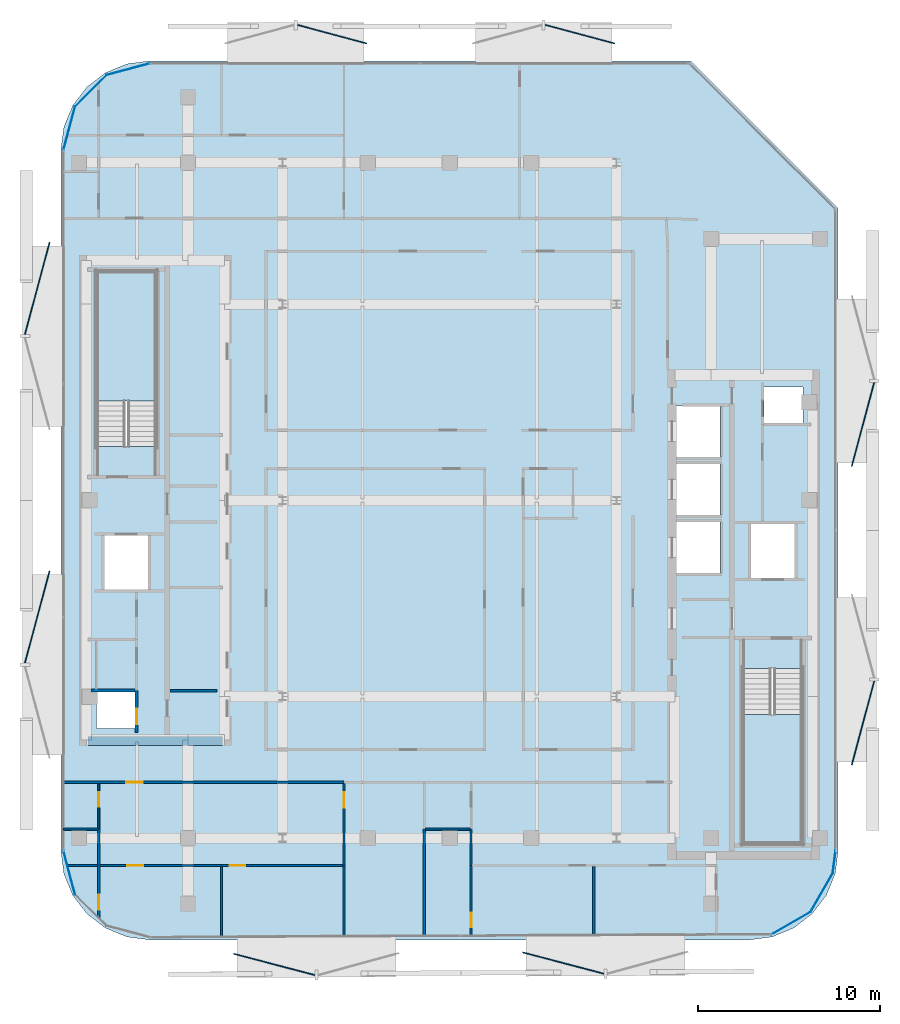
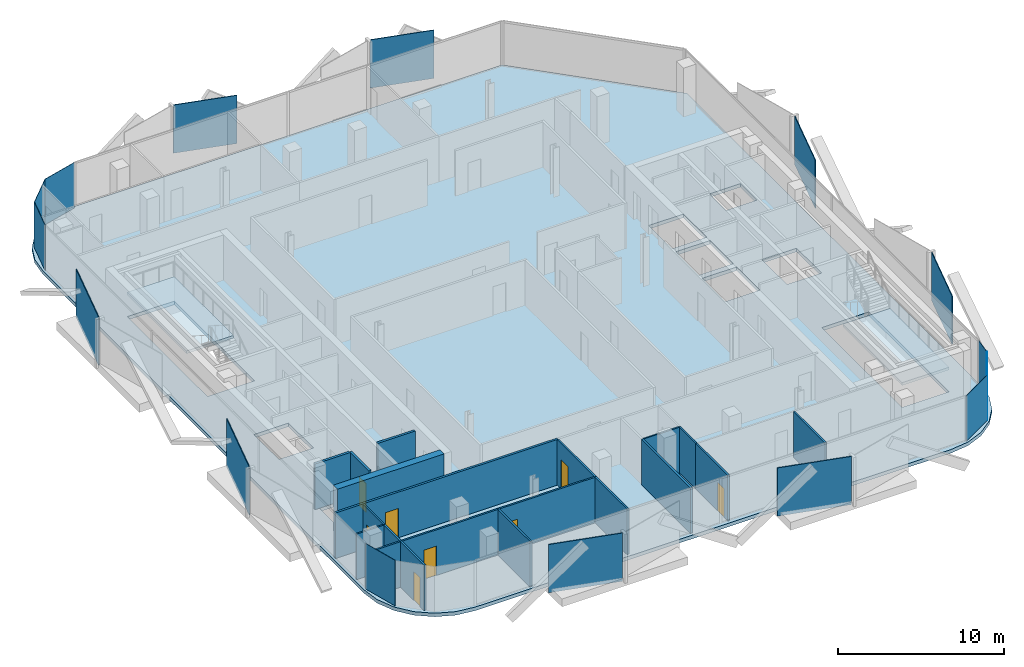
# One storey, part 2 of 15: 19 walls, 15 plates, 8 doors, 3 slabs, 8 openings, 2 elements without a shape of their own.
"""IFC4 building model written with IfcOpenShell, lengths in metres."""

from ifc_helpers import new_model, si_unit, direction, frame, frame_2d, origin, origin_2d, place, context, subcontext, project, spatial, polyline, rectangle, outline, extrude, material, layer, layer_set, type_object, element, fill, aggregate, save


model = new_model("IFC4")

# Units and contexts
model_context = context("Model", 3, precision=1e-05, world=origin(), true_north=direction((0.0, 1.0)))
body_context = subcontext(model_context, "Body", "Model", "MODEL_VIEW")
ifc_project = project(units=[si_unit("LENGTHUNIT", "METRE"), si_unit("AREAUNIT", "SQUARE_METRE"), si_unit("VOLUMEUNIT", "CUBIC_METRE"), si_unit("PLANEANGLEUNIT", "RADIAN"), si_unit("MASSUNIT", "GRAM", prefix="KILO")], contexts=[model_context])

# Site, building, storey
site_placement = place(None, origin())
site = spatial("IfcSite", under=ifc_project, at=site_placement, CompositionType="ELEMENT")
building_placement = place(site_placement, origin())
building = spatial("IfcBuilding", under=site, at=building_placement, Name="Khairoan Windgate Tower", CompositionType="ELEMENT")
storey_placement = place(building_placement, frame((0.0, 0.0, 265.60009765625)))
storey = spatial("IfcBuildingStorey", under=building, at=storey_placement, Name="L63", CompositionType="ELEMENT", Elevation=265.60009765625)

# Plates
ifc_material_1 = material(Name="Low-E Solar Control Laminated Glass", Category="glass")
ifc_layer_1 = layer(ifc_material_1, 0.030029296875, Name="Low-E Solar Control Laminated Glass")
ifc_layer_set_1 = layer_set([ifc_layer_1], Name="Low-E Solar Control Laminated Glass")
plate_type_1 = type_object("IfcPlateType", Name="Aerodynamic Wind-Corner Curved Glazing Plate", PredefinedType="USERDEFINED", material=ifc_layer_set_1)
for number, where, z_axis, x_axis, name in (
    (1, (-20.940673828125, -20.485107421875, 0.0), (0.0, 0.0, 1.0), (-0.258313252067, 0.966061211211, 0.0), "L63 Aerodynamic Wind-Corner Curved Glazing Panel 4"),
    (2, (-20.940673828125, 20.485107421875, 0.0), (0.0, 0.0, 1.0), (0.258313252067, 0.966061211211, 0.0), "L63 Aerodynamic Wind-Corner Curved Glazing Panel 6"),
):
    element("IfcPlate", number, at=place(storey_placement, frame(where, z_axis=z_axis, x_axis=x_axis)), inside=storey, type_object=plate_type_1, Name=name, ObjectType="GLAZING PANEL", PredefinedType="USERDEFINED", context=body_context, shape_type="SweptSolid", body=[
        extrude(rectangle(XDim=2.512451171875, YDim=0.030029296875, at=origin_2d()), origin(), (0.0, 0.0, 1.0), 3.340087890625),
    ])
plate_1_placement = place(storey_placement, frame((-19.750244140625, 22.55029296875, 0.0), z_axis=(0.0, 0.0, 1.0), x_axis=(0.707106781187, 0.707106781187, 0.0)))
element("IfcPlate", 3, at=plate_1_placement, inside=storey, type_object=plate_type_1, Name="L63 Aerodynamic Wind-Corner Curved Glazing Panel 7", ObjectType="GLAZING PANEL", PredefinedType="USERDEFINED", context=body_context, shape_type="SweptSolid", body=[
    extrude(rectangle(XDim=2.50341796875, YDim=0.030029296875, at=origin_2d()), origin(), (0.0, 0.0, 1.0), 3.340087890625),
])
plate_2_placement = place(storey_placement, frame((-17.68505859375, 23.740478515625, 0.0), z_axis=(0.0, 0.0, 1.0), x_axis=(0.966061211211, 0.258313252067, 0.0)))
element("IfcPlate", 4, at=plate_2_placement, inside=storey, type_object=plate_type_1, Name="L63 Aerodynamic Wind-Corner Curved Glazing Panel 8", ObjectType="GLAZING PANEL", PredefinedType="USERDEFINED", context=body_context, shape_type="SweptSolid", body=[
    extrude(rectangle(XDim=2.512451171875, YDim=0.030029296875, at=origin_2d()), origin(), (0.0, 0.0, 1.0), 3.340087890625),
])
plate_3_placement = place(storey_placement, frame((21.17822265625, -19.911376953125, 0.0), z_axis=(0.0, 0.0, 1.0), x_axis=(-0.13052619222, -0.991444861374, 0.0)))
element("IfcPlate", 5, at=plate_3_placement, inside=storey, type_object=plate_type_1, Name="L63 Aerodynamic Wind-Corner Curved Glazing Panel 12", ObjectType="GLAZING PANEL", PredefinedType="USERDEFINED", context=body_context, shape_type="SweptSolid", body=[
    extrude(rectangle(XDim=1.29150390625, YDim=0.030029296875, at=origin_2d()), origin(), (0.0, 0.0, 1.0), 3.340087890625),
])
for number, where, z_axis, x_axis, name in (
    (6, (20.480712890625, -21.598388671875, 0.0), (0.0, 0.0, 1.0), (-0.5, -0.866025403784, 0.0), "L63 Aerodynamic Wind-Corner Curved Glazing Panel 13"),
    (7, (18.79833984375, -23.28076171875, 0.0), (0.0, 0.0, 1.0), (-0.866025403784, -0.5, 0.0), "L63 Aerodynamic Wind-Corner Curved Glazing Panel 14"),
):
    element("IfcPlate", number, at=place(storey_placement, frame(where, z_axis=z_axis, x_axis=x_axis)), inside=storey, type_object=plate_type_1, Name=name, ObjectType="GLAZING PANEL", PredefinedType="USERDEFINED", context=body_context, shape_type="SweptSolid", body=[
        extrude(rectangle(XDim=2.50341796875, YDim=0.030029296875, at=origin_2d()), origin(), (0.0, 0.0, 1.0), 3.340087890625),
    ])
ifc_material_2 = material(Name="Anodised Bronze Aluminium 6063-T6", Category="aluminium")
ifc_layer_2 = layer(ifc_material_2, 0.054931640625, Name="Anodised Bronze Aluminium 6063-T6")
ifc_layer_set_2 = layer_set([ifc_layer_2], Name="Anodised Bronze Aluminium 6063-T6")
plate_type_2 = type_object("IfcPlateType", Name="Perforated Bronze Solar Screen Upper Panel BSP-2", PredefinedType="USERDEFINED", material=ifc_layer_set_2)
for number, where, z_axis, x_axis, name in (
    (8, (6.264892578125, -25.474365234375, -0.10009765625), (0.0, 0.0, 1.0), (-0.967134752842, 0.254264369988, 0.0), "L63 Perforated Bronze Solar Screen Panel 433R"),
    (9, (-9.646240234375, -25.55029296875, -0.10009765625), (0.0, 0.0, 1.0), (-0.967134752842, 0.254264369988, 0.0), "L63 Perforated Bronze Solar Screen Panel 434R"),
):
    element("IfcPlate", number, at=place(storey_placement, frame(where, z_axis=z_axis, x_axis=x_axis)), inside=storey, type_object=plate_type_2, Name=name, ObjectType="SCREEN", PredefinedType="USERDEFINED", context=body_context, shape_type="SweptSolid", body=[
        extrude(rectangle(XDim=4.614013671875, YDim=0.054931640625, at=origin_2d()), origin(), (0.0, 0.0, 1.0), 3.5400390625),
    ])
for number, where, z_axis, x_axis, name in (
    (10, (-22.701171875, -6.421875, -0.10009765625), (0.0, 0.0, 1.0), (0.258819045103, 0.965925826289, 0.0), "L63 Perforated Bronze Solar Screen Panel 435R"),
    (11, (-22.701171875, 11.6689453125, -0.10009765625), (0.0, 0.0, 1.0), (0.258819045103, 0.965925826289, 0.0), "L63 Perforated Bronze Solar Screen Panel 436R"),
):
    element("IfcPlate", number, at=place(storey_placement, frame(where, z_axis=z_axis, x_axis=x_axis)), inside=storey, type_object=plate_type_2, Name=name, ObjectType="SCREEN", PredefinedType="USERDEFINED", context=body_context, shape_type="SweptSolid", body=[
        extrude(rectangle(XDim=5.24609375, YDim=0.054931640625, at=origin_2d()), origin(), (0.0, 0.0, 1.0), 3.5400390625),
    ])
for number, where, z_axis, x_axis, name in (
    (12, (-6.466552734375, 25.66796875, -0.10009765625), (0.0, 0.0, 1.0), (0.965925826289, -0.258819045103, 0.0), "L63 Perforated Bronze Solar Screen Panel 437R"),
    (13, (7.179931640625, 25.66796875, -0.10009765625), (0.0, 0.0, 1.0), (0.965925826289, -0.258819045103, 0.0), "L63 Perforated Bronze Solar Screen Panel 438R"),
):
    element("IfcPlate", number, at=place(storey_placement, frame(where, z_axis=z_axis, x_axis=x_axis)), inside=storey, type_object=plate_type_2, Name=name, ObjectType="SCREEN", PredefinedType="USERDEFINED", context=body_context, shape_type="SweptSolid", body=[
        extrude(rectangle(XDim=3.95703125, YDim=0.054931640625, at=origin_2d()), origin(), (0.0, 0.0, 1.0), 3.5400390625),
    ])
for number, where, z_axis, x_axis, name in (
    (14, (22.7626953125, 4.185546875, -0.10009765625), (0.0, 0.0, 1.0), (-0.258819045103, -0.965925826289, 0.0), "L63 Perforated Bronze Solar Screen Panel 439R"),
    (15, (22.7626953125, -12.260986328125, -0.10009765625), (0.0, 0.0, 1.0), (-0.258819045103, -0.965925826289, 0.0), "L63 Perforated Bronze Solar Screen Panel 440R"),
):
    element("IfcPlate", number, at=place(storey_placement, frame(where, z_axis=z_axis, x_axis=x_axis)), inside=storey, type_object=plate_type_2, Name=name, ObjectType="SCREEN", PredefinedType="USERDEFINED", context=body_context, shape_type="SweptSolid", body=[
        extrude(rectangle(XDim=4.76904296875, YDim=0.054931640625, at=origin_2d()), origin(), (0.0, 0.0, 1.0), 3.5400390625),
    ])

# Stair, slab
ifc_material_3 = material(Name="Concrete C40/50", Category="concrete")
stair_type = type_object("IfcStairType", Name="Tower Core Dog-Leg Stair ST-T1 1560mm", PredefinedType="HALF_TURN_STAIR", material=ifc_material_3)
stair_1_placement = place(storey_placement, origin())
stair_1 = element("IfcStair", 16, at=stair_1_placement, inside=storey, type_object=stair_type, Name="L63 Stair ST1", PredefinedType="HALF_TURN_STAIR")
ifc_material_4 = material(Name="Concrete C40/50", Category="concrete")
ifc_layer_3 = layer(ifc_material_4, 0.199951171875, Name="Concrete C40/50")
ifc_layer_set_3 = layer_set([ifc_layer_3], Name="Concrete C40/50")
slab_type_1 = type_object("IfcSlabType", Name="Reinforced Concrete Stair Landing Slab STL-200", PredefinedType="LANDING", material=ifc_layer_set_3)
slab_1_placement = place(storey_placement, frame((0.0, 0.0, 1.599853515625)))
slab_1 = element("IfcSlab", 17, at=slab_1_placement, type_object=slab_type_1, Name="ST1 landing 1", PredefinedType="LANDING", context=body_context, shape_type="SweptSolid", body=[
    extrude(outline(polyline([(16.14990234375, -11.780029296875), (16.14990234375, -18.89990234375), (19.419921875, -18.89990234375), (19.419921875, -11.780029296875), (16.14990234375, -11.780029296875)])), origin(), (0.0, 0.0, 1.0), 0.199951171875),
])
aggregate(stair_1, [slab_1])

stair_2_placement = place(storey_placement, origin())
stair_2 = element("IfcStair", 18, at=stair_2_placement, inside=storey, type_object=stair_type, Name="L63 Stair ST2", PredefinedType="HALF_TURN_STAIR")
slab_2_placement = place(storey_placement, frame((0.0, 0.0, 1.599853515625)))
slab_2 = element("IfcSlab", 19, at=slab_2_placement, type_object=slab_type_1, Name="ST2 landing 1", PredefinedType="LANDING", context=body_context, shape_type="SweptSolid", body=[
    extrude(outline(polyline([(-16.14990234375, 5.47998046875), (-16.14990234375, 12.60009765625), (-19.419921875, 12.60009765625), (-19.419921875, 5.47998046875), (-16.14990234375, 5.47998046875)])), origin(), (0.0, 0.0, 1.0), 0.199951171875),
])
aggregate(stair_2, [slab_2])

# Slab
ifc_material_5 = material(Name="Concrete C40/50", Category="concrete")
ifc_layer_4 = layer(ifc_material_5, 0.260009765625, Name="Concrete C40/50")
ifc_layer_set_4 = layer_set([ifc_layer_4], Name="Concrete C40/50")
slab_type_2 = type_object("IfcSlabType", Name="Tower Composite Floor Slab FS2 260mm", PredefinedType="FLOOR", material=ifc_layer_set_4)
slab_3_placement = place(storey_placement, frame((0.0, 0.0, -0.260009765625)))
element("IfcSlab", 20, at=slab_3_placement, inside=storey, type_object=slab_type_2, Name="L63 Structural Floor Slab", PredefinedType="FLOOR", context=body_context, shape_type="SweptSolid", body=[
    extrude(outline(polyline([(16.5, -24.199951171875), (17.768310546875, -24.032958984375), (18.949951171875, -23.54345703125), (19.96484375, -22.764892578125), (20.743408203125, -21.75), (21.23291015625, -20.568115234375), (21.39990234375, -19.300048828125), (21.39990234375, 16.06005859375), (13.260009765625, 24.199951171875), (-16.5, 24.199951171875), (-17.768310546875, 24.032958984375), (-18.949951171875, 23.54345703125), (-19.96484375, 22.764892578125), (-20.743408203125, 21.75), (-21.23291015625, 20.568115234375), (-21.39990234375, 19.300048828125), (-21.39990234375, -19.300048828125), (-21.23291015625, -20.568115234375), (-20.743408203125, -21.75), (-19.96484375, -22.764892578125), (-18.949951171875, -23.54345703125), (-17.768310546875, -24.032958984375), (-16.5, -24.199951171875), (16.5, -24.199951171875)]), holes=[polyline([(16.14990234375, -9.260009765625), (16.14990234375, -18.89990234375), (19.419921875, -18.89990234375), (19.419921875, -9.260009765625), (16.14990234375, -9.260009765625)]), polyline([(-16.14990234375, 2.9599609375), (-16.14990234375, 12.60009765625), (-19.419921875, 12.60009765625), (-19.419921875, 2.9599609375), (-16.14990234375, 2.9599609375)]), polyline([(12.5, 2.39990234375), (14.89990234375, 2.39990234375), (14.89990234375, 5.199951171875), (12.5, 5.199951171875), (12.5, 2.39990234375)]), polyline([(12.5, -0.800048828125), (14.89990234375, -0.800048828125), (14.89990234375, 2.0), (12.5, 2.0), (12.5, -0.800048828125)]), polyline([(12.5, -4.0), (14.89990234375, -4.0), (14.89990234375, -1.199951171875), (12.5, -1.199951171875), (12.5, -4.0)]), polyline([(16.60009765625, -4.300048828125), (19.0, -4.300048828125), (19.0, -1.300048828125), (16.60009765625, -1.300048828125), (16.60009765625, -4.300048828125)]), polyline([(-19.0, -4.89990234375), (-16.60009765625, -4.89990234375), (-16.60009765625, -1.89990234375), (-19.0, -1.89990234375), (-19.0, -4.89990234375)]), polyline([(-19.449951171875, -12.550048828125), (-17.31005859375, -12.550048828125), (-17.31005859375, -10.550048828125), (-19.449951171875, -10.550048828125), (-19.449951171875, -12.550048828125)]), polyline([(17.31005859375, 4.25), (19.449951171875, 4.25), (19.449951171875, 6.25), (17.31005859375, 6.25), (17.31005859375, 4.25)])]), origin(), (0.0, 0.0, 1.0), 0.260009765625),
])

# Wall
ifc_material_6 = material(Name="Moisture-Resistant Gypsum Partition", Category="gypsum")
ifc_layer_5 = layer(ifc_material_6, 0.10009765625, Name="Moisture-Resistant Gypsum Partition")
ifc_layer_set_5 = layer_set([ifc_layer_5], Name="Moisture-Resistant Gypsum Partition")
wall_type_1 = type_object("IfcWallType", Name="Bathroom Wet-Area Partition Wall", PredefinedType="PARTITIONING", material=ifc_layer_set_5)
wall_1_placement = place(storey_placement, frame((-21.2548828125, -18.10009765625, 0.0), z_axis=(0.0, 0.0, 1.0), x_axis=(1.0, 0.0, 0.0)))
element("IfcWall", 21, at=wall_1_placement, inside=storey, type_object=wall_type_1, Name="L63 Interior Partition 046", PredefinedType="PARTITIONING", context=body_context, shape_type="SweptSolid", body=[
    extrude(rectangle(XDim=1.894775390625, YDim=0.10009765625, at=frame_2d((0.947265625, 0.0))), origin(), (0.0, 0.0, 1.0), 3.33984375),
])

# Wall, opening, door
wall_2_placement = place(storey_placement, frame((-19.31005859375, -18.10009765625, 0.0), z_axis=(0.0, 0.0, 1.0), x_axis=(0.0, 1.0, 0.0)))
wall_2 = element("IfcWall", 22, at=wall_2_placement, inside=storey, type_object=wall_type_1, Name="L63 Interior Partition 047", PredefinedType="PARTITIONING", context=body_context, shape_type="SweptSolid", body=[
    extrude(rectangle(XDim=2.5, YDim=0.10009765625, at=frame_2d((1.25, 0.0))), origin(), (0.0, 0.0, 1.0), 3.33984375),
])
opening_1_placement = place(wall_2_placement, frame((1.239990234375, 0.0, 0.0)))
opening_1 = element("IfcOpeningElement", 23, at=opening_1_placement, cuts=wall_2, Name="Opening ID-BTH", PredefinedType="OPENING", context=body_context, shape_type="SweptSolid", body=[
    extrude(rectangle(XDim=0.800048828125, YDim=2.10009765625, at=frame_2d((0.39990234375, 1.050048828125))), frame((0.0, 0.06005859375, 0.0), z_axis=(0.0, -1.0, 0.0), x_axis=(1.0, 0.0, 0.0)), (0.0, 0.0, 1.0), 0.1201171875),
])
ifc_material_7 = material(Name="Teak Veneer Timber Leaf", Category="wood")
door_type_1 = type_object("IfcDoorType", Name="Internal Bathroom Door ID-BTH 800x2100", OperationType="NOTDEFINED", PredefinedType="DOOR", material=ifc_material_7)
door_1_placement = place(opening_1_placement, origin())
door_1 = element("IfcDoor", 24, at=door_1_placement, inside=storey, type_object=door_type_1, Name="L63 L63-39-L63-41 Door", OperationType="SINGLE_SWING_RIGHT", OverallHeight=2.10009765625, OverallWidth=0.800048828125, PredefinedType="DOOR", context=body_context, shape_type="SweptSolid", body=[
    extrude(rectangle(XDim=0.800048828125, YDim=2.10009765625, at=frame_2d((0.39990234375, 1.050048828125))), frame((0.0, 0.02490234375, 0.0), z_axis=(0.0, -1.0, 0.0), x_axis=(1.0, 0.0, 0.0)), (0.0, 0.0, 1.0), 0.050048828125),
])
fill(opening_1, door_1)

# Walls
wall_3_placement = place(storey_placement, frame((-1.330078125, -18.10009765625, 0.0), z_axis=(0.0, 0.0, 1.0), x_axis=(1.0, 0.0, 0.0)))
element("IfcWall", 25, at=wall_3_placement, inside=storey, type_object=wall_type_1, Name="L63 Interior Partition 057", PredefinedType="PARTITIONING", context=body_context, shape_type="SweptSolid", body=[
    extrude(rectangle(XDim=2.469970703125, YDim=0.10009765625, at=frame_2d((1.23486328125, 0.0))), origin(), (0.0, 0.0, 1.0), 3.33984375),
])
ifc_material_8 = material(Name="Concrete C40/50", Category="concrete")
ifc_layer_6 = layer(ifc_material_8, 0.159912109375, Name="Concrete C40/50")
ifc_layer_set_6 = layer_set([ifc_layer_6], Name="Concrete C40/50")
wall_type_2 = type_object("IfcWallType", Name="Core and Hoistway Enclosure Wall", PredefinedType="STANDARD", material=ifc_layer_set_6)
wall_4_placement = place(storey_placement, frame((-15.39990234375, -10.47998046875, 0.0), z_axis=(0.0, 0.0, 1.0), x_axis=(1.0, 0.0, 0.0)))
element("IfcWall", 26, at=wall_4_placement, inside=storey, type_object=wall_type_2, Name="L63 Core Shaft Wall SW-WSV-L63", PredefinedType="STANDARD", context=body_context, shape_type="SweptSolid", body=[
    extrude(rectangle(XDim=2.599853515625, YDim=0.159912109375, at=frame_2d((1.2998046875, 0.0))), origin(), (0.0, 0.0, 1.0), 3.33984375),
])
ifc_material_9 = material(Name="Acoustic Fire-Rated Gypsum Partition", Category="gypsum")
ifc_layer_7 = layer(ifc_material_9, 0.139892578125, Name="Acoustic Fire-Rated Gypsum Partition")
ifc_layer_set_7 = layer_set([ifc_layer_7], Name="Acoustic Fire-Rated Gypsum Partition")
wall_type_3 = type_object("IfcWallType", Name="Inter-Tenancy Compartment Wall", PredefinedType="PARTITIONING", material=ifc_layer_set_7)
wall_5_placement = place(storey_placement, frame((-1.39990234375, -23.98291015625, 0.0), z_axis=(0.0, 0.0, 1.0), x_axis=(0.0, 1.0, 0.0)))
element("IfcWall", 27, at=wall_5_placement, inside=storey, type_object=wall_type_3, Name="L63 Interior Partition 055", PredefinedType="PARTITIONING", context=body_context, shape_type="SweptSolid", body=[
    extrude(rectangle(XDim=5.8828125, YDim=0.139892578125, at=frame_2d((2.94140625, 0.0))), origin(), (0.0, 0.0, 1.0), 3.33984375),
])
ifc_material_10 = material(Name="Gypsum Stud Partition", Category="gypsum")
ifc_layer_8 = layer(ifc_material_10, 0.1201171875, Name="Gypsum Stud Partition")
ifc_layer_set_8 = layer_set([ifc_layer_8], Name="Gypsum Stud Partition")
wall_type_4 = type_object("IfcWallType", Name="Internal Room Partition Wall", PredefinedType="PARTITIONING", material=ifc_layer_set_8)
wall_6_placement = place(storey_placement, frame((-19.31005859375, -20.10009765625, 0.0), z_axis=(0.0, 0.0, 1.0), x_axis=(0.0, 1.0, 0.0)))
element("IfcWall", 28, at=wall_6_placement, inside=storey, type_object=wall_type_4, Name="L63 Interior Partition 048", PredefinedType="PARTITIONING", context=body_context, shape_type="SweptSolid", body=[
    extrude(rectangle(XDim=2.0, YDim=0.1201171875, at=frame_2d((1.0, 0.0))), origin(), (0.0, 0.0, 1.0), 3.33984375),
])

# Wall, opening, door
wall_7_placement = place(storey_placement, frame((-19.31005859375, -22.985595703125, 0.0), z_axis=(0.0, 0.0, 1.0), x_axis=(0.0, 1.0, 0.0)))
wall_7 = element("IfcWall", 29, at=wall_7_placement, inside=storey, type_object=wall_type_4, Name="L63 Interior Partition 049", PredefinedType="PARTITIONING", context=body_context, shape_type="SweptSolid", body=[
    extrude(rectangle(XDim=2.885498046875, YDim=0.1201171875, at=frame_2d((1.44287109375, 0.0))), origin(), (0.0, 0.0, 1.0), 3.33984375),
])
opening_2_placement = place(wall_7_placement, frame((0.4599609375, 0.0, 0.0)))
opening_2 = element("IfcOpeningElement", 30, at=opening_2_placement, cuts=wall_7, Name="Opening ID-BTH", PredefinedType="OPENING", context=body_context, shape_type="SweptSolid", body=[
    extrude(rectangle(XDim=0.800048828125, YDim=2.10009765625, at=frame_2d((0.39990234375, 1.050048828125))), frame((0.0, 0.070068359375, 0.0), z_axis=(0.0, -1.0, 0.0), x_axis=(1.0, 0.0, 0.0)), (0.0, 0.0, 1.0), 0.14013671875),
])
door_2_placement = place(opening_2_placement, origin())
door_2 = element("IfcDoor", 31, at=door_2_placement, inside=storey, type_object=door_type_1, Name="L63 L63-40-L63-43 Door", OperationType="SINGLE_SWING_LEFT", OverallHeight=2.10009765625, OverallWidth=0.800048828125, PredefinedType="DOOR", context=body_context, shape_type="SweptSolid", body=[
    extrude(rectangle(XDim=0.800048828125, YDim=2.10009765625, at=frame_2d((0.39990234375, 1.050048828125))), frame((0.0, 0.02490234375, 0.0), z_axis=(0.0, -1.0, 0.0), x_axis=(1.0, 0.0, 0.0)), (0.0, 0.0, 1.0), 0.050048828125),
])
fill(opening_2, door_2)

wall_8_placement = place(storey_placement, frame((-5.81005859375, -20.10009765625, 0.0), z_axis=(0.0, 0.0, 1.0), x_axis=(0.0, 1.0, 0.0)))
wall_8 = element("IfcWall", 32, at=wall_8_placement, inside=storey, type_object=wall_type_4, Name="L63 Interior Partition 050", PredefinedType="PARTITIONING", context=body_context, shape_type="SweptSolid", body=[
    extrude(rectangle(XDim=4.5, YDim=0.1201171875, at=frame_2d((2.25, 0.0))), origin(), (0.0, 0.0, 1.0), 3.33984375),
])
opening_3_placement = place(wall_8_placement, frame((3.179931640625, 0.0, 0.0)))
opening_3 = element("IfcOpeningElement", 33, at=opening_3_placement, cuts=wall_8, Name="Opening ID-RM", PredefinedType="OPENING", context=body_context, shape_type="SweptSolid", body=[
    extrude(rectangle(XDim=0.860107421875, YDim=2.14990234375, at=frame_2d((0.43017578125, 1.074951171875))), frame((0.0, 0.070068359375, 0.0), z_axis=(0.0, -1.0, 0.0), x_axis=(1.0, 0.0, 0.0)), (0.0, 0.0, 1.0), 0.14013671875),
])
ifc_material_11 = material(Name="Teak Veneer Timber Leaf", Category="wood")
door_type_2 = type_object("IfcDoorType", Name="Internal Bedroom and Office Door ID-RM 860x2150", OperationType="NOTDEFINED", PredefinedType="DOOR", material=ifc_material_11)
door_3_placement = place(opening_3_placement, origin())
door_3 = element("IfcDoor", 34, at=door_3_placement, inside=storey, type_object=door_type_2, Name="L63 L63-41-L63-42 Door", OperationType="SINGLE_SWING_RIGHT", OverallHeight=2.14990234375, OverallWidth=0.860107421875, PredefinedType="DOOR", context=body_context, shape_type="SweptSolid", body=[
    extrude(rectangle(XDim=0.860107421875, YDim=2.14990234375, at=frame_2d((0.43017578125, 1.074951171875))), frame((0.0, 0.02490234375, 0.0), z_axis=(0.0, -1.0, 0.0), x_axis=(1.0, 0.0, 0.0)), (0.0, 0.0, 1.0), 0.050048828125),
])
fill(opening_3, door_3)

wall_9_placement = place(storey_placement, frame((-21.03857421875, -20.10009765625, 0.0), z_axis=(0.0, 0.0, 1.0), x_axis=(1.0, 0.0, 0.0)))
wall_9 = element("IfcWall", 35, at=wall_9_placement, inside=storey, type_object=wall_type_4, Name="L63 Interior Partition 051", PredefinedType="PARTITIONING", context=body_context, shape_type="SweptSolid", body=[
    extrude(rectangle(XDim=8.478515625, YDim=0.1201171875, at=frame_2d((4.2392578125, 0.0))), origin(), (0.0, 0.0, 1.0), 3.33984375),
])
opening_4_placement = place(wall_9_placement, frame((3.3017578125, 0.0, 0.0)))
opening_4 = element("IfcOpeningElement", 36, at=opening_4_placement, cuts=wall_9, Name="Opening ID-RM", PredefinedType="OPENING", context=body_context, shape_type="SweptSolid", body=[
    extrude(rectangle(XDim=0.860107421875, YDim=2.14990234375, at=frame_2d((0.43017578125, 1.074951171875))), frame((0.0, 0.070068359375, 0.0), z_axis=(0.0, -1.0, 0.0), x_axis=(1.0, 0.0, 0.0)), (0.0, 0.0, 1.0), 0.14013671875),
])
door_4_placement = place(opening_4_placement, origin())
door_4 = element("IfcDoor", 37, at=door_4_placement, inside=storey, type_object=door_type_2, Name="L63 L63-41-L63-43 Door", OperationType="SINGLE_SWING_LEFT", OverallHeight=2.14990234375, OverallWidth=0.860107421875, PredefinedType="DOOR", context=body_context, shape_type="SweptSolid", body=[
    extrude(rectangle(XDim=0.860107421875, YDim=2.14990234375, at=frame_2d((0.43017578125, 1.074951171875))), frame((0.0, 0.02490234375, 0.0), z_axis=(0.0, -1.0, 0.0), x_axis=(1.0, 0.0, 0.0)), (0.0, 0.0, 1.0), 0.050048828125),
])
fill(opening_4, door_4)

wall_10_placement = place(storey_placement, frame((-12.56005859375, -20.10009765625, 0.0), z_axis=(0.0, 0.0, 1.0), x_axis=(1.0, 0.0, 0.0)))
wall_10 = element("IfcWall", 38, at=wall_10_placement, inside=storey, type_object=wall_type_4, Name="L63 Interior Partition 052", PredefinedType="PARTITIONING", context=body_context, shape_type="SweptSolid", body=[
    extrude(rectangle(XDim=6.68994140625, YDim=0.1201171875, at=frame_2d((3.344970703125, 0.0))), origin(), (0.0, 0.0, 1.0), 3.33984375),
])
opening_5_placement = place(wall_10_placement, frame((0.4599609375, 0.0, 0.0)))
opening_5 = element("IfcOpeningElement", 39, at=opening_5_placement, cuts=wall_10, Name="Opening ID-RM", PredefinedType="OPENING", context=body_context, shape_type="SweptSolid", body=[
    extrude(rectangle(XDim=0.860107421875, YDim=2.14990234375, at=frame_2d((0.43017578125, 1.074951171875))), frame((0.0, 0.070068359375, 0.0), z_axis=(0.0, -1.0, 0.0), x_axis=(1.0, 0.0, 0.0)), (0.0, 0.0, 1.0), 0.14013671875),
])
door_5_placement = place(opening_5_placement, origin())
door_5 = element("IfcDoor", 40, at=door_5_placement, inside=storey, type_object=door_type_2, Name="L63 L63-41-L63-44 Door", OperationType="SINGLE_SWING_RIGHT", OverallHeight=2.14990234375, OverallWidth=0.860107421875, PredefinedType="DOOR", context=body_context, shape_type="SweptSolid", body=[
    extrude(rectangle(XDim=0.860107421875, YDim=2.14990234375, at=frame_2d((0.43017578125, 1.074951171875))), frame((0.0, 0.02490234375, 0.0), z_axis=(0.0, -1.0, 0.0), x_axis=(1.0, 0.0, 0.0)), (0.0, 0.0, 1.0), 0.050048828125),
])
fill(opening_5, door_5)

# Walls
wall_11_placement = place(storey_placement, frame((-5.81005859375, -24.00390625, 0.0), z_axis=(0.0, 0.0, 1.0), x_axis=(0.0, 1.0, 0.0)))
element("IfcWall", 41, at=wall_11_placement, inside=storey, type_object=wall_type_4, Name="L63 Interior Partition 053", PredefinedType="PARTITIONING", context=body_context, shape_type="SweptSolid", body=[
    extrude(rectangle(XDim=3.90380859375, YDim=0.1201171875, at=frame_2d((1.951904296875, 0.0))), origin(), (0.0, 0.0, 1.0), 3.33984375),
])
wall_12_placement = place(storey_placement, frame((-12.56005859375, -24.0361328125, 0.0), z_axis=(0.0, 0.0, 1.0), x_axis=(0.0, 1.0, 0.0)))
element("IfcWall", 42, at=wall_12_placement, inside=storey, type_object=wall_type_4, Name="L63 Interior Partition 056", PredefinedType="PARTITIONING", context=body_context, shape_type="SweptSolid", body=[
    extrude(rectangle(XDim=3.876220703125, YDim=0.1201171875, at=frame_2d((1.93798828125, 0.0))), origin(), (0.0, 0.0, 1.0), 3.33984375),
])
wall_13_placement = place(storey_placement, frame((1.18994140625, -20.10009765625, 0.0), z_axis=(0.0, 0.0, 1.0), x_axis=(0.0, 1.0, 0.0)))
element("IfcWall", 43, at=wall_13_placement, inside=storey, type_object=wall_type_4, Name="L63 Interior Partition 059", PredefinedType="PARTITIONING", context=body_context, shape_type="SweptSolid", body=[
    extrude(rectangle(XDim=2.0, YDim=0.1201171875, at=frame_2d((1.0, 0.0))), origin(), (0.0, 0.0, 1.0), 3.33984375),
])

# Wall, opening, door
wall_14_placement = place(storey_placement, frame((1.18994140625, -23.970703125, 0.0), z_axis=(0.0, 0.0, 1.0), x_axis=(0.0, 1.0, 0.0)))
wall_14 = element("IfcWall", 44, at=wall_14_placement, inside=storey, type_object=wall_type_4, Name="L63 Interior Partition 060", PredefinedType="PARTITIONING", context=body_context, shape_type="SweptSolid", body=[
    extrude(rectangle(XDim=3.87060546875, YDim=0.1201171875, at=frame_2d((1.935302734375, 0.0))), origin(), (0.0, 0.0, 1.0), 3.33984375),
])
opening_6_placement = place(wall_14_placement, frame((0.4599609375, 0.0, 0.0)))
opening_6 = element("IfcOpeningElement", 45, at=opening_6_placement, cuts=wall_14, Name="Opening ID-BTH", PredefinedType="OPENING", context=body_context, shape_type="SweptSolid", body=[
    extrude(rectangle(XDim=0.800048828125, YDim=2.10009765625, at=frame_2d((0.39990234375, 1.050048828125))), frame((0.0, 0.070068359375, 0.0), z_axis=(0.0, -1.0, 0.0), x_axis=(1.0, 0.0, 0.0)), (0.0, 0.0, 1.0), 0.14013671875),
])
door_6_placement = place(opening_6_placement, origin())
door_6 = element("IfcDoor", 46, at=door_6_placement, inside=storey, type_object=door_type_1, Name="L63 L63-46-L63-49 Door", OperationType="SINGLE_SWING_RIGHT", OverallHeight=2.10009765625, OverallWidth=0.800048828125, PredefinedType="DOOR", context=body_context, shape_type="SweptSolid", body=[
    extrude(rectangle(XDim=0.800048828125, YDim=2.10009765625, at=frame_2d((0.39990234375, 1.050048828125))), frame((0.0, 0.02490234375, 0.0), z_axis=(0.0, -1.0, 0.0), x_axis=(1.0, 0.0, 0.0)), (0.0, 0.0, 1.0), 0.050048828125),
])
fill(opening_6, door_6)

# Wall
wall_15_placement = place(storey_placement, frame((7.93994140625, -23.9384765625, 0.0), z_axis=(0.0, 0.0, 1.0), x_axis=(0.0, 1.0, 0.0)))
element("IfcWall", 47, at=wall_15_placement, inside=storey, type_object=wall_type_4, Name="L63 Interior Partition 064", PredefinedType="PARTITIONING", context=body_context, shape_type="SweptSolid", body=[
    extrude(rectangle(XDim=3.778564453125, YDim=0.1201171875, at=frame_2d((1.88916015625, 0.0))), origin(), (0.0, 0.0, 1.0), 3.33984375),
])

# Wall, opening, door
ifc_material_12 = material(Name="Concrete C40/50", Category="concrete")
ifc_layer_9 = layer(ifc_material_12, 0.159912109375, Name="Concrete C40/50")
ifc_layer_set_9 = layer_set([ifc_layer_9], Name="Concrete C40/50")
wall_type_5 = type_object("IfcWallType", Name="Plant and Refuge Compartment Wall", PredefinedType="PARTITIONING", material=ifc_layer_set_9)
wall_16_placement = place(storey_placement, frame((-17.22998046875, -12.7900390625, 0.0), z_axis=(0.0, 0.0, 1.0), x_axis=(0.0, 1.0, 0.0)))
wall_16 = element("IfcWall", 48, at=wall_16_placement, inside=storey, type_object=wall_type_5, Name="L63 Interior Partition 001", PredefinedType="PARTITIONING", context=body_context, shape_type="SweptSolid", body=[
    extrude(rectangle(XDim=2.320068359375, YDim=0.159912109375, at=frame_2d((1.16015625, 0.0))), origin(), (0.0, 0.0, 1.0), 3.33984375),
])
opening_7_placement = place(wall_16_placement, frame((0.4599609375, 0.0, 0.0)))
opening_7 = element("IfcOpeningElement", 49, at=opening_7_placement, cuts=wall_16, Name="Opening FD-SRV", PredefinedType="OPENING", context=body_context, shape_type="SweptSolid", body=[
    extrude(rectangle(XDim=0.85009765625, YDim=2.10009765625, at=frame_2d((0.425048828125, 1.050048828125))), frame((0.0, 0.08984375, 0.0), z_axis=(0.0, -1.0, 0.0), x_axis=(1.0, 0.0, 0.0)), (0.0, 0.0, 1.0), 0.179931640625),
])
ifc_material_13 = material(Name="Steel S355", Category="steel")
door_type_3 = type_object("IfcDoorType", Name="Core Service and Riser Fire Door FD-SRV 850x2100", OperationType="NOTDEFINED", PredefinedType="DOOR", material=ifc_material_13)
door_7_placement = place(opening_7_placement, origin())
door_7 = element("IfcDoor", 50, at=door_7_placement, inside=storey, type_object=door_type_3, Name="L63 L63-04-L63-05 Door", OperationType="SINGLE_SWING_RIGHT", OverallHeight=2.10009765625, OverallWidth=0.85009765625, PredefinedType="DOOR", context=body_context, shape_type="SweptSolid", body=[
    extrude(rectangle(XDim=0.85009765625, YDim=2.10009765625, at=frame_2d((0.425048828125, 1.050048828125))), frame((0.0, 0.02490234375, 0.0), z_axis=(0.0, -1.0, 0.0), x_axis=(1.0, 0.0, 0.0)), (0.0, 0.0, 1.0), 0.050048828125),
])
fill(opening_7, door_7)

# Wall
wall_17_placement = place(storey_placement, frame((-19.75, -10.469970703125, 0.0), z_axis=(0.0, 0.0, 1.0), x_axis=(1.0, 0.0, 0.0)))
element("IfcWall", 51, at=wall_17_placement, inside=storey, type_object=wall_type_5, Name="L63 Interior Partition 004", PredefinedType="PARTITIONING", context=body_context, shape_type="SweptSolid", body=[
    extrude(rectangle(XDim=2.43994140625, YDim=0.159912109375, at=frame_2d((1.219970703125, 0.0))), origin(), (0.0, 0.0, 1.0), 3.33984375),
])

# Wall, opening, door
ifc_material_14 = material(Name="Acoustic Fire-Rated Gypsum Partition", Category="gypsum")
ifc_layer_10 = layer(ifc_material_14, 0.14990234375, Name="Acoustic Fire-Rated Gypsum Partition")
ifc_layer_set_10 = layer_set([ifc_layer_10], Name="Acoustic Fire-Rated Gypsum Partition")
wall_type_6 = type_object("IfcWallType", Name="Rated Corridor Partition Wall", PredefinedType="PARTITIONING", material=ifc_layer_set_10)
wall_18_placement = place(storey_placement, frame((-21.2548828125, -15.52490234375, 0.0), z_axis=(0.0, 0.0, 1.0), x_axis=(1.0, 0.0, 0.0)))
wall_18 = element("IfcWall", 52, at=wall_18_placement, inside=storey, type_object=wall_type_6, Name="L63 Interior Partition 029", PredefinedType="PARTITIONING", context=body_context, shape_type="SweptSolid", body=[
    extrude(rectangle(XDim=15.44482421875, YDim=0.14990234375, at=frame_2d((7.722412109375, 0.0))), origin(), (0.0, 0.0, 1.0), 3.33984375),
])
opening_8_placement = place(wall_18_placement, frame((3.465576171875, 0.0, 0.0)))
opening_8 = element("IfcOpeningElement", 53, at=opening_8_placement, cuts=wall_18, Name="Opening FD-ENT", PredefinedType="OPENING", context=body_context, shape_type="SweptSolid", body=[
    extrude(rectangle(XDim=0.89990234375, YDim=2.14990234375, at=frame_2d((0.449951171875, 1.074951171875))), frame((0.0, 0.0849609375, 0.0), z_axis=(0.0, -1.0, 0.0), x_axis=(1.0, 0.0, 0.0)), (0.0, 0.0, 1.0), 0.169921875),
])
ifc_material_15 = material(Name="Timber Fire-Rated Core", Category="wood")
door_type_4 = type_object("IfcDoorType", Name="Unit and Office Fire Entrance Door FD-ENT 900x2150", OperationType="NOTDEFINED", PredefinedType="DOOR", material=ifc_material_15)
door_8_placement = place(opening_8_placement, origin())
door_8 = element("IfcDoor", 54, at=door_8_placement, inside=storey, type_object=door_type_4, Name="L63 L63-31-L63-41 Door", OperationType="SINGLE_SWING_LEFT", OverallHeight=2.14990234375, OverallWidth=0.89990234375, PredefinedType="DOOR", context=body_context, shape_type="SweptSolid", body=[
    extrude(rectangle(XDim=0.89990234375, YDim=2.14990234375, at=frame_2d((0.449951171875, 1.074951171875))), frame((0.0, 0.02490234375, 0.0), z_axis=(0.0, -1.0, 0.0), x_axis=(1.0, 0.0, 0.0)), (0.0, 0.0, 1.0), 0.050048828125),
])
fill(opening_8, door_8)

# Wall
ifc_material_16 = material(Name="Concrete C50/60", Category="concrete")
ifc_layer_11 = layer(ifc_material_16, 0.5, Name="Concrete C50/60")
ifc_layer_set_11 = layer_set([ifc_layer_11], Name="Concrete C50/60")
wall_type_7 = type_object("IfcWallType", Name="Shear Wall CW-W3 500mm", PredefinedType="SHEAR", material=ifc_layer_set_11)
wall_19_placement = place(storey_placement, frame((-19.89990234375, -13.25, 0.0), z_axis=(0.0, 0.0, 1.0), x_axis=(1.0, 0.0, 0.0)))
element("IfcWall", 55, at=wall_19_placement, inside=storey, type_object=wall_type_7, Name="W Core South Shear Wall L63", PredefinedType="SHEAR", context=body_context, shape_type="SweptSolid", body=[
    extrude(rectangle(XDim=7.39990234375, YDim=0.5, at=frame_2d((3.699951171875, 0.0))), origin(), (0.0, 0.0, 1.0), 3.33984375),
])

save(model, "model.ifc")
